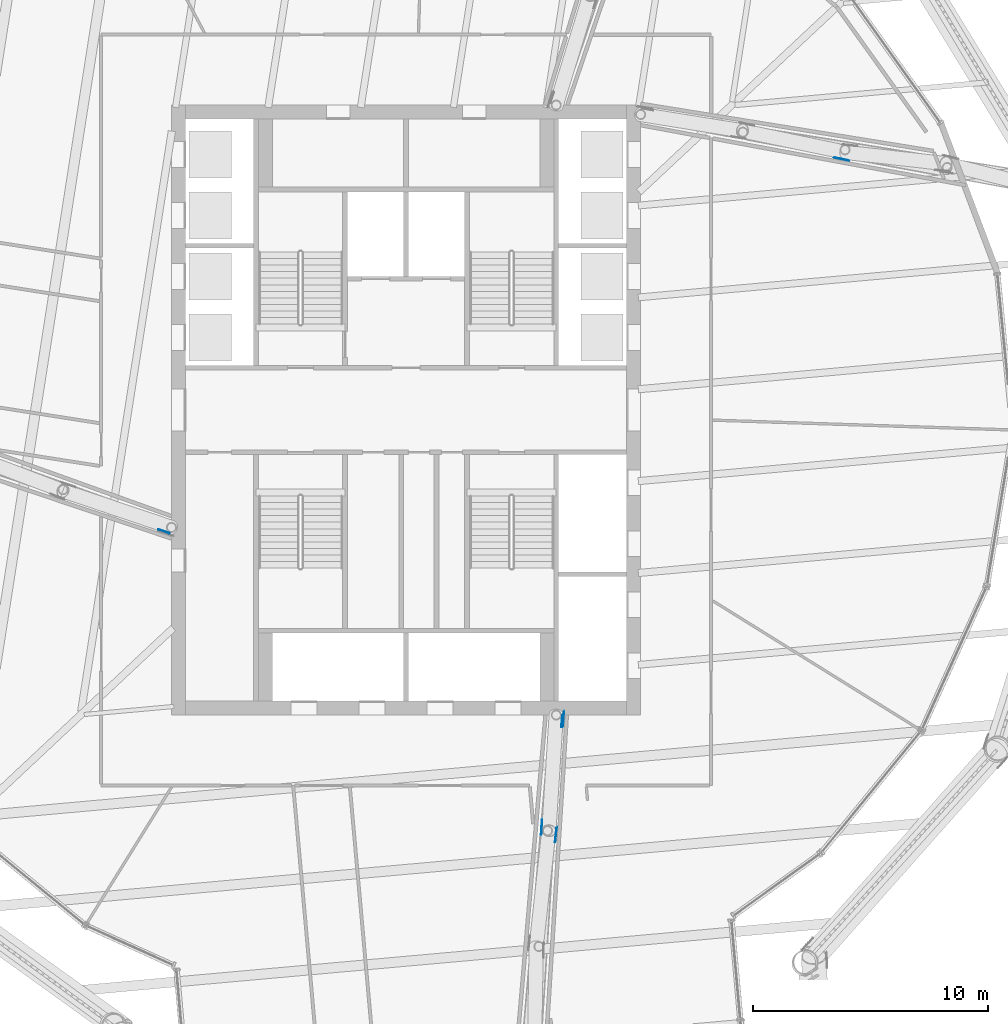
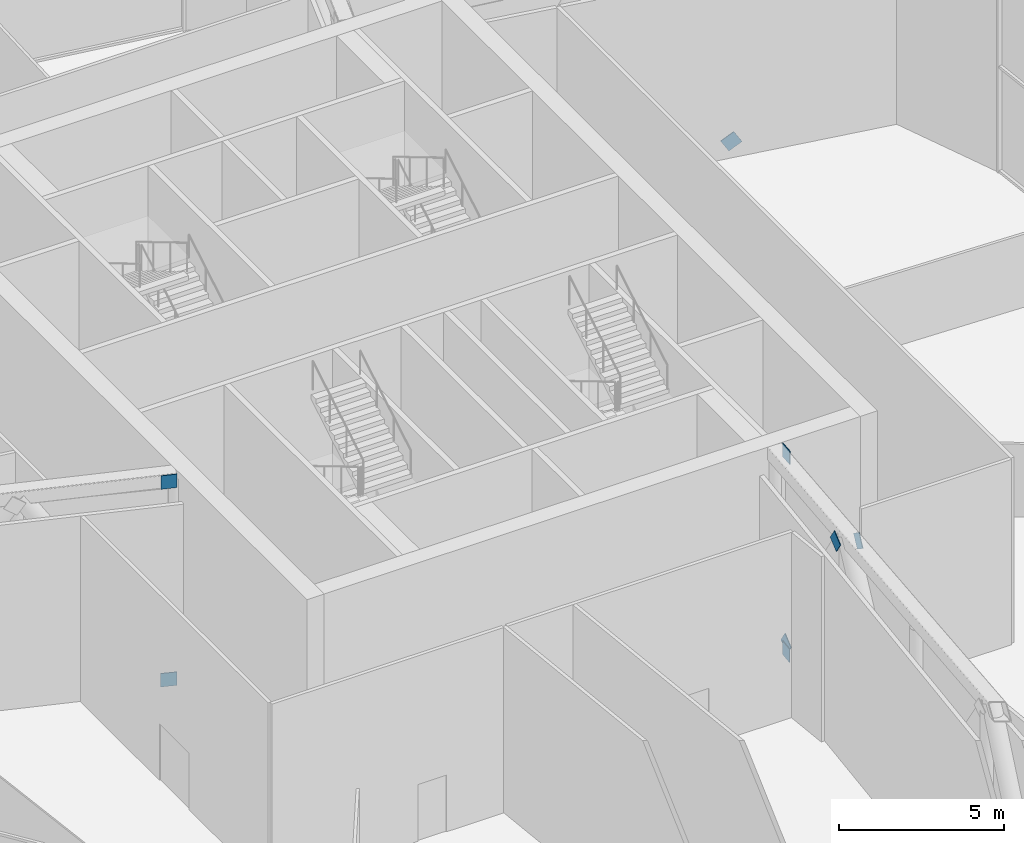
# One storey, part 39 of 55: 8 discrete accessories.
"""IFC4 building model written with IfcOpenShell, lengths in metres."""

from ifc_helpers import new_model, si_unit, direction, frame, origin, origin_2d, place, context, subcontext, project, spatial, rectangle, extrude, material, material_profile, profile_set, type_object, element, save


model = new_model("IFC4")

# Units and contexts
model_context = context("Model", 3, precision=1e-05, world=origin(), true_north=direction((0.0, 1.0)))
body_context = subcontext(model_context, "Body", "Model", "MODEL_VIEW")
ifc_project = project(units=[si_unit("LENGTHUNIT", "METRE"), si_unit("AREAUNIT", "SQUARE_METRE"), si_unit("VOLUMEUNIT", "CUBIC_METRE"), si_unit("PLANEANGLEUNIT", "RADIAN"), si_unit("MASSUNIT", "GRAM", prefix="KILO")], contexts=[model_context])

# Site, building, storey
site_placement = place(None, origin())
site = spatial("IfcSite", under=ifc_project, at=site_placement, CompositionType="ELEMENT")
building_placement = place(site_placement, origin())
building = spatial("IfcBuilding", under=site, at=building_placement, Name="Tarsis Ring Headquarters", CompositionType="ELEMENT")
storey_placement = place(building_placement, frame((0.0, 0.0, 247.199951171875)))
storey = spatial("IfcBuildingStorey", under=building, at=storey_placement, Name="L58", CompositionType="ELEMENT", Elevation=247.199951171875)

# Discrete accessories
ifc_material = material(Name="Structural steel S355", Category="steel")
ifc_material_profile = material_profile(ifc_material, rectangle(XDim=0.02490234375, YDim=0.5, at=origin_2d()), Name="PL 25x500")
ifc_profile_set = profile_set([ifc_material_profile], Name="Structural steel S355")
discrete_accessory_type_1 = type_object("IfcDiscreteAccessoryType", Name="Gusset plate Outrigger 25", PredefinedType="BRACKET", material=ifc_profile_set)
discrete_accessory_1_placement = place(storey_placement, frame((18.683837890625, 10.672119140625, 0.254150390625), z_axis=(-0.51283637002, 0.106963014318, 0.851796789823), x_axis=(-0.204177632806, -0.978933855918, 0.0)))
element("IfcDiscreteAccessory", 1, at=discrete_accessory_1_placement, inside=storey, type_object=discrete_accessory_type_1, Name="Gusset plate GP1", PredefinedType="BRACKET", context=body_context, shape_type="SweptSolid", body=[
    extrude(rectangle(XDim=0.02490234375, YDim=0.5, at=origin_2d()), origin(), (0.0, 0.0, 1.0), 0.499755859375),
])
discrete_accessory_2_placement = place(storey_placement, frame((6.716552734375, -13.02001953125, 0.254150390625), z_axis=(-0.035163594848, -0.557733684954, 0.829274778505), x_axis=(0.998018425455, -0.062922352568, 0.0)))
element("IfcDiscreteAccessory", 2, at=discrete_accessory_2_placement, inside=storey, type_object=discrete_accessory_type_1, Name="Gusset plate GP1", PredefinedType="BRACKET", context=body_context, shape_type="SweptSolid", body=[
    extrude(rectangle(XDim=0.02490234375, YDim=0.5, at=origin_2d()), origin(), (0.0, 0.0, 1.0), 0.5),
])
discrete_accessory_3_placement = place(storey_placement, frame((5.770751953125, -17.906494140625, 7.5859375), z_axis=(0.035173172701, 0.557397084047, -0.829500656189), x_axis=(-0.998014960873, 0.062977280616, 0.0)))
element("IfcDiscreteAccessory", 3, at=discrete_accessory_3_placement, inside=storey, type_object=discrete_accessory_type_1, Name="Gusset plate GP1", PredefinedType="BRACKET", context=body_context, shape_type="SweptSolid", body=[
    extrude(rectangle(XDim=0.02490234375, YDim=0.5, at=origin_2d()), origin(), (0.0, 0.0, 1.0), 0.499755859375),
])
discrete_accessory_4_placement = place(storey_placement, frame((6.40283203125, -17.9609375, 7.5859375), z_axis=(-0.061037390092, -0.558614194118, -0.827178710522), x_axis=(0.994083425749, -0.108619255436, 0.0)))
element("IfcDiscreteAccessory", 4, at=discrete_accessory_4_placement, inside=storey, type_object=discrete_accessory_type_1, Name="Gusset plate GP1", PredefinedType="BRACKET", context=body_context, shape_type="SweptSolid", body=[
    extrude(rectangle(XDim=0.02490234375, YDim=0.5, at=origin_2d()), origin(), (0.0, 0.0, 1.0), 0.5),
])
discrete_accessory_type_2 = type_object("IfcDiscreteAccessoryType", Name="Gusset plate Outrigger chord 25", PredefinedType="BRACKET", material=ifc_profile_set)
for number, where, z_axis, x_axis, name in (
    (5, (6.66552734375, -13.02294921875, 0.254150390625), (-0.085955208051, -0.996299002413, 0.0), (0.996299002413, -0.085955208051, 0.0), "Gusset plate GP3"),
    (6, (6.666015625, -13.016845703125, 7.5859375), (-0.063472537241, -0.997983585544, 0.0), (0.997983585544, -0.063472537241, 0.0), "Gusset plate GP3"),
):
    element("IfcDiscreteAccessory", number, at=place(storey_placement, frame(where, z_axis=z_axis, x_axis=x_axis)), inside=storey, type_object=discrete_accessory_type_2, Name=name, PredefinedType="BRACKET", context=body_context, shape_type="SweptSolid", body=[
        extrude(rectangle(XDim=0.02490234375, YDim=0.5, at=origin_2d()), origin(), (0.0, 0.0, 1.0), 0.5),
    ])
discrete_accessory_5_placement = place(storey_placement, frame((-10.090087890625, -5.250732421875, 0.254150390625), z_axis=(-0.941310122347, 0.337542965512, 0.0), x_axis=(-0.337542965512, -0.941310122347, 0.0)))
element("IfcDiscreteAccessory", 7, at=discrete_accessory_5_placement, inside=storey, type_object=discrete_accessory_type_2, Name="Gusset plate GP3", PredefinedType="BRACKET", context=body_context, shape_type="SweptSolid", body=[
    extrude(rectangle(XDim=0.02490234375, YDim=0.5, at=origin_2d()), origin(), (0.0, 0.0, 1.0), 0.499755859375),
])
discrete_accessory_6_placement = place(storey_placement, frame((-10.0849609375, -5.252685546875, 7.5859375), z_axis=(-0.947653030262, 0.319301948373, 0.0), x_axis=(-0.319301948373, -0.947653030262, 0.0)))
element("IfcDiscreteAccessory", 8, at=discrete_accessory_6_placement, inside=storey, type_object=discrete_accessory_type_2, Name="Gusset plate GP3", PredefinedType="BRACKET", context=body_context, shape_type="SweptSolid", body=[
    extrude(rectangle(XDim=0.02490234375, YDim=0.5, at=origin_2d()), origin(), (0.0, 0.0, 1.0), 0.5),
])

save(model, "model.ifc")
